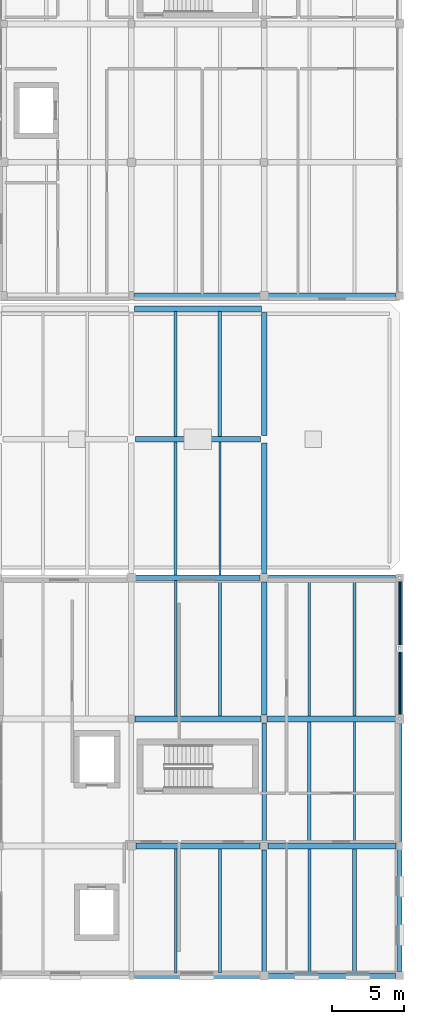
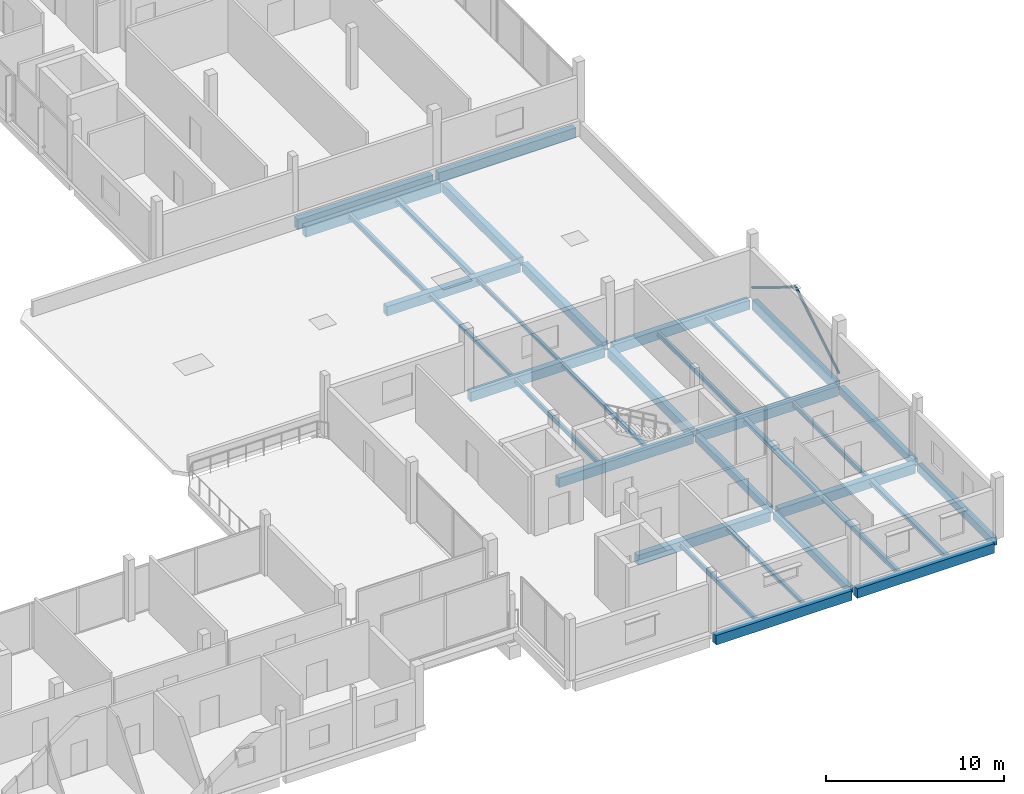
# One storey, part 16 of 41: 34 beams, 2 members.
"""IFC4 building model written with IfcOpenShell, lengths in metres."""

from ifc_helpers import new_model, si_unit, direction, frame, origin, origin_2d, place, context, subcontext, project, spatial, rectangle, hollow_circle, i_section, extrude, material, material_profile, profile_set, type_object, element, save


model = new_model("IFC4")

# Units and contexts
model_context = context("Model", 3, precision=1e-05, world=origin(), true_north=direction((0.0, 1.0)))
body_context = subcontext(model_context, "Body", "Model", "MODEL_VIEW")
ifc_project = project(units=[si_unit("LENGTHUNIT", "METRE"), si_unit("AREAUNIT", "SQUARE_METRE"), si_unit("VOLUMEUNIT", "CUBIC_METRE"), si_unit("PLANEANGLEUNIT", "RADIAN"), si_unit("MASSUNIT", "GRAM", prefix="KILO")], contexts=[model_context])

# Site, building, storey
site_placement = place(None, origin())
site = spatial("IfcSite", under=ifc_project, at=site_placement, CompositionType="ELEMENT")
building_placement = place(site_placement, origin())
building = spatial("IfcBuilding", under=site, at=building_placement, Name="Birchvale Park Specialist Clinic", CompositionType="ELEMENT")
storey_placement = place(building_placement, frame((0.0, 0.0, 9.60009765625)))
storey = spatial("IfcBuildingStorey", under=building, at=storey_placement, Name="L02", CompositionType="ELEMENT", Elevation=9.60009765625)

# Beams
ifc_material_1 = material(Name="Concrete C40/50", Category="concrete")
ifc_material_profile_1 = material_profile(ifc_material_1, rectangle(XDim=0.39990234375, YDim=0.68994140625, at=origin_2d()), Name="RCB-400x690")
ifc_profile_set_1 = profile_set([ifc_material_profile_1], Name="Concrete C40/50")
beam_type_1 = type_object("IfcBeamType", Name="BM-EXT-BG4", PredefinedType="BEAM", material=ifc_profile_set_1)
for number, where, z_axis, x_axis, name in (
    (1, (137.409912109375, 63.050048828125, -0.6201171875), (1.0, 0.0, 0.0), (0.0, 1.0, 0.0), "V5 L02 X girder 18"),
    (2, (137.409912109375, 63.949951171875, -0.64501953125), (1.0, 0.0, 0.0), (0.0, 1.0, 0.0), "V6 L02 X girder 2"),
):
    element("IfcBeam", number, at=place(storey_placement, frame(where, z_axis=z_axis, x_axis=x_axis)), inside=storey, type_object=beam_type_1, Name=name, PredefinedType="BEAM", context=body_context, shape_type="SweptSolid", body=[
        extrude(rectangle(XDim=0.39990234375, YDim=0.68994140625, at=origin_2d()), origin(), (0.0, 0.0, 1.0), 8.80517578125),
    ])
beam_1_placement = place(storey_placement, frame((146.5849609375, 63.949951171875, -0.64501953125), z_axis=(1.0, 0.0, 0.0), x_axis=(0.0, 1.0, 0.0)))
element("IfcBeam", 3, at=beam_1_placement, inside=storey, type_object=beam_type_1, Name="V6 L02 X girder 3", PredefinedType="BEAM", context=body_context, shape_type="SweptSolid", body=[
    extrude(rectangle(XDim=0.39990234375, YDim=0.68994140625, at=origin_2d()), origin(), (0.0, 0.0, 1.0), 8.925048828125),
])
ifc_material_profile_2 = material_profile(ifc_material_1, rectangle(XDim=0.3798828125, YDim=0.639892578125, at=origin_2d()), Name="RCB-380x640")
ifc_profile_set_2 = profile_set([ifc_material_profile_2], Name="Concrete C40/50")
beam_type_2 = type_object("IfcBeamType", Name="BM-EXT-BG5", PredefinedType="BEAM", material=ifc_profile_set_2)
beam_2_placement = place(storey_placement, frame((155.800048828125, 34.85009765625, -0.6201171875), z_axis=(0.0, 1.0, 0.0), x_axis=(-1.0, 0.0, 0.0)))
element("IfcBeam", 4, at=beam_2_placement, inside=storey, type_object=beam_type_2, Name="V5 L02 Y girder 37", PredefinedType="BEAM", context=body_context, shape_type="SweptSolid", body=[
    extrude(rectangle(XDim=0.3798828125, YDim=0.639892578125, at=origin_2d()), origin(), (0.0, 0.0, 1.0), 9.27490234375),
])
ifc_material_profile_3 = material_profile(ifc_material_1, rectangle(XDim=0.320068359375, YDim=0.5400390625, at=origin_2d()), Name="RCB-320x540")
ifc_profile_set_3 = profile_set([ifc_material_profile_3], Name="Concrete C40/50")
beam_type_3 = type_object("IfcBeamType", Name="BM-EXT-BG7", PredefinedType="BEAM", material=ifc_profile_set_3)
beam_3_placement = place(storey_placement, frame((155.800048828125, 17.10009765625, -0.570068359375), z_axis=(0.0, 1.0, 0.0), x_axis=(-1.0, 0.0, 0.0)))
element("IfcBeam", 5, at=beam_3_placement, inside=storey, type_object=beam_type_3, Name="V5 L02 Y girder 35", PredefinedType="BEAM", context=body_context, shape_type="SweptSolid", body=[
    extrude(rectangle(XDim=0.320068359375, YDim=0.5400390625, at=origin_2d()), origin(), (0.0, 0.0, 1.0), 8.449951171875),
])
beam_4_placement = place(storey_placement, frame((155.800048828125, 26.050048828125, -0.570068359375), z_axis=(0.0, 1.0, 0.0), x_axis=(-1.0, 0.0, 0.0)))
element("IfcBeam", 6, at=beam_4_placement, inside=storey, type_object=beam_type_3, Name="V5 L02 Y girder 36", PredefinedType="BEAM", context=body_context, shape_type="SweptSolid", body=[
    extrude(rectangle(XDim=0.320068359375, YDim=0.5400390625, at=origin_2d()), origin(), (0.0, 0.0, 1.0), 8.300048828125),
])
ifc_material_profile_4 = material_profile(ifc_material_1, rectangle(XDim=0.419921875, YDim=0.679931640625, at=origin_2d()), Name="RCB-420x680")
ifc_profile_set_4 = profile_set([ifc_material_profile_4], Name="Concrete C40/50")
beam_type_4 = type_object("IfcBeamType", Name="BM-INT-BG3", PredefinedType="BEAM", material=ifc_profile_set_4)
beam_5_placement = place(storey_placement, frame((146.60009765625, 34.60009765625, -0.64013671875), z_axis=(1.0, 0.0, 0.0), x_axis=(0.0, 1.0, 0.0)))
element("IfcBeam", 7, at=beam_5_placement, inside=storey, type_object=beam_type_4, Name="V5 L02 X girder 10", PredefinedType="BEAM", context=body_context, shape_type="SweptSolid", body=[
    extrude(rectangle(XDim=0.419921875, YDim=0.679931640625, at=origin_2d()), origin(), (0.0, 0.0, 1.0), 9.02490234375),
])
ifc_material_profile_5 = material_profile(ifc_material_1, rectangle(XDim=0.39990234375, YDim=0.64990234375, at=origin_2d()), Name="RCB-400x650")
ifc_profile_set_5 = profile_set([ifc_material_profile_5], Name="Concrete C40/50")
beam_type_5 = type_object("IfcBeamType", Name="BM-INT-BG4", PredefinedType="BEAM", material=ifc_profile_set_5)
beam_6_placement = place(storey_placement, frame((137.39990234375, 16.800048828125, -0.625), z_axis=(1.0, 0.0, 0.0), x_axis=(0.0, 1.0, 0.0)))
element("IfcBeam", 8, at=beam_6_placement, inside=storey, type_object=beam_type_5, Name="V5 L02 X girder 2", PredefinedType="BEAM", context=body_context, shape_type="SweptSolid", body=[
    extrude(rectangle(XDim=0.39990234375, YDim=0.64990234375, at=origin_2d()), origin(), (0.0, 0.0, 1.0), 8.8251953125),
])
beam_7_placement = place(storey_placement, frame((146.574951171875, 16.800048828125, -0.625), z_axis=(1.0, 0.0, 0.0), x_axis=(0.0, 1.0, 0.0)))
element("IfcBeam", 9, at=beam_7_placement, inside=storey, type_object=beam_type_5, Name="V5 L02 X girder 3", PredefinedType="BEAM", context=body_context, shape_type="SweptSolid", body=[
    extrude(rectangle(XDim=0.39990234375, YDim=0.64990234375, at=origin_2d()), origin(), (0.0, 0.0, 1.0), 8.925048828125),
])
beam_8_placement = place(storey_placement, frame((137.5, 25.800048828125, -0.625), z_axis=(1.0, 0.0, 0.0), x_axis=(0.0, 1.0, 0.0)))
element("IfcBeam", 10, at=beam_8_placement, inside=storey, type_object=beam_type_5, Name="V5 L02 X girder 5", PredefinedType="BEAM", context=body_context, shape_type="SweptSolid", body=[
    extrude(rectangle(XDim=0.39990234375, YDim=0.64990234375, at=origin_2d()), origin(), (0.0, 0.0, 1.0), 8.625),
])
beam_9_placement = place(storey_placement, frame((146.675048828125, 25.800048828125, -0.625), z_axis=(1.0, 0.0, 0.0), x_axis=(0.0, 1.0, 0.0)))
element("IfcBeam", 11, at=beam_9_placement, inside=storey, type_object=beam_type_5, Name="V5 L02 X girder 6", PredefinedType="BEAM", context=body_context, shape_type="SweptSolid", body=[
    extrude(rectangle(XDim=0.39990234375, YDim=0.64990234375, at=origin_2d()), origin(), (0.0, 0.0, 1.0), 8.875),
])
beam_10_placement = place(storey_placement, frame((137.449951171875, 34.60009765625, -0.625), z_axis=(1.0, 0.0, 0.0), x_axis=(0.0, 1.0, 0.0)))
element("IfcBeam", 12, at=beam_10_placement, inside=storey, type_object=beam_type_5, Name="V5 L02 X girder 9", PredefinedType="BEAM", context=body_context, shape_type="SweptSolid", body=[
    extrude(rectangle(XDim=0.39990234375, YDim=0.64990234375, at=origin_2d()), origin(), (0.0, 0.0, 1.0), 8.75),
])
beam_11_placement = place(storey_placement, frame((137.375, 44.39990234375, -0.625), z_axis=(1.0, 0.0, 0.0), x_axis=(0.0, 1.0, 0.0)))
element("IfcBeam", 13, at=beam_11_placement, inside=storey, type_object=beam_type_5, Name="V5 L02 X girder 13", PredefinedType="BEAM", context=body_context, shape_type="SweptSolid", body=[
    extrude(rectangle(XDim=0.39990234375, YDim=0.64990234375, at=origin_2d()), origin(), (0.0, 0.0, 1.0), 8.72509765625),
])
beam_12_placement = place(storey_placement, frame((146.699951171875, 44.39990234375, -0.625), z_axis=(1.0, 0.0, 0.0), x_axis=(0.0, 1.0, 0.0)))
element("IfcBeam", 14, at=beam_12_placement, inside=storey, type_object=beam_type_5, Name="V5 L02 X girder 14", PredefinedType="BEAM", context=body_context, shape_type="SweptSolid", body=[
    extrude(rectangle(XDim=0.39990234375, YDim=0.64990234375, at=origin_2d()), origin(), (0.0, 0.0, 1.0), 8.824951171875),
])
beam_13_placement = place(storey_placement, frame((137.47509765625, 54.0, -0.60009765625), z_axis=(1.0, 0.0, 0.0), x_axis=(0.0, 1.0, 0.0)))
element("IfcBeam", 15, at=beam_13_placement, inside=storey, type_object=beam_type_5, Name="V5 L02 X girder 16", PredefinedType="BEAM", context=body_context, shape_type="SweptSolid", body=[
    extrude(rectangle(XDim=0.39990234375, YDim=0.64990234375, at=origin_2d()), origin(), (0.0, 0.0, 1.0), 8.6748046875),
])
ifc_material_profile_6 = material_profile(ifc_material_1, rectangle(XDim=0.3798828125, YDim=0.60009765625, at=origin_2d()), Name="RCB-380x600")
ifc_profile_set_6 = profile_set([ifc_material_profile_6], Name="Concrete C40/50")
beam_type_6 = type_object("IfcBeamType", Name="BM-INT-BG5", PredefinedType="BEAM", material=ifc_profile_set_6)
beam_14_placement = place(storey_placement, frame((146.39990234375, 34.875, -0.60009765625), z_axis=(0.0, 1.0, 0.0), x_axis=(-1.0, 0.0, 0.0)))
element("IfcBeam", 16, at=beam_14_placement, inside=storey, type_object=beam_type_6, Name="V5 L02 Y girder 32", PredefinedType="BEAM", context=body_context, shape_type="SweptSolid", body=[
    extrude(rectangle(XDim=0.3798828125, YDim=0.60009765625, at=origin_2d()), origin(), (0.0, 0.0, 1.0), 9.22509765625),
])
beam_15_placement = place(storey_placement, frame((146.39990234375, 44.699951171875, -0.5751953125), z_axis=(0.0, 1.0, 0.0), x_axis=(-1.0, 0.0, 0.0)))
element("IfcBeam", 17, at=beam_15_placement, inside=storey, type_object=beam_type_6, Name="V5 L02 Y girder 33", PredefinedType="BEAM", context=body_context, shape_type="SweptSolid", body=[
    extrude(rectangle(XDim=0.3798828125, YDim=0.60009765625, at=origin_2d()), origin(), (0.0, 0.0, 1.0), 9.050048828125),
])
beam_16_placement = place(storey_placement, frame((146.39990234375, 54.25, -0.5751953125), z_axis=(0.0, 1.0, 0.0), x_axis=(-1.0, 0.0, 0.0)))
element("IfcBeam", 18, at=beam_16_placement, inside=storey, type_object=beam_type_6, Name="V5 L02 Y girder 34", PredefinedType="BEAM", context=body_context, shape_type="SweptSolid", body=[
    extrude(rectangle(XDim=0.3798828125, YDim=0.60009765625, at=origin_2d()), origin(), (0.0, 0.0, 1.0), 8.5400390625),
])
ifc_material_profile_7 = material_profile(ifc_material_1, rectangle(XDim=0.320068359375, YDim=0.5, at=origin_2d()), Name="RCB-320x500")
ifc_profile_set_7 = profile_set([ifc_material_profile_7], Name="Concrete C40/50")
beam_type_7 = type_object("IfcBeamType", Name="BM-INT-BG7", PredefinedType="BEAM", material=ifc_profile_set_7)
beam_17_placement = place(storey_placement, frame((146.39990234375, 17.050048828125, -0.550048828125), z_axis=(0.0, 1.0, 0.0), x_axis=(-1.0, 0.0, 0.0)))
element("IfcBeam", 19, at=beam_17_placement, inside=storey, type_object=beam_type_7, Name="V5 L02 Y girder 30", PredefinedType="BEAM", context=body_context, shape_type="SweptSolid", body=[
    extrude(rectangle(XDim=0.320068359375, YDim=0.5, at=origin_2d()), origin(), (0.0, 0.0, 1.0), 8.474853515625),
])
beam_18_placement = place(storey_placement, frame((146.39990234375, 26.074951171875, -0.550048828125), z_axis=(0.0, 1.0, 0.0), x_axis=(-1.0, 0.0, 0.0)))
element("IfcBeam", 20, at=beam_18_placement, inside=storey, type_object=beam_type_7, Name="V5 L02 Y girder 31", PredefinedType="BEAM", context=body_context, shape_type="SweptSolid", body=[
    extrude(rectangle(XDim=0.320068359375, YDim=0.5, at=origin_2d()), origin(), (0.0, 0.0, 1.0), 8.25),
])

# Members
ifc_material_2 = material(Name="Steel EN 10210 S355", Category="steel")
ifc_material_profile_8 = material_profile(ifc_material_2, hollow_circle(Radius=0.084228515625, WallThickness=0.008056640625, at=origin_2d()), Name="CHS168.3X8")
ifc_profile_set_8 = profile_set([ifc_material_profile_8], Name="Steel EN 10210 S355")
member_type = type_object("IfcMemberType", Name="MEM-BR4", PredefinedType="BRACE", material=ifc_profile_set_8)
for number, where, z_axis, x_axis, name in (
    (21, (155.800048828125, 34.62548828125, 0.365478515625), (0.0, 0.853631182631, 0.520877916636), (-1.0, 0.0, 0.0), "V5 L02 chevron steel brace 11.1"),
    (22, (155.800048828125, 44.37451171875, 0.365478515625), (0.0, -0.853631182631, 0.520877916636), (1.0, 0.0, 0.0), "V5 L02 chevron steel brace 11.2"),
):
    element("IfcMember", number, at=place(storey_placement, frame(where, z_axis=z_axis, x_axis=x_axis)), inside=storey, type_object=member_type, Name=name, PredefinedType="BRACE", context=body_context, shape_type="SweptSolid", body=[
        extrude(hollow_circle(Radius=0.084228515625, WallThickness=0.008056640625, at=origin_2d()), origin(), (0.0, 0.0, 1.0), 5.68017578125),
    ])

# Beams
ifc_material_3 = material(Name="Steel ASTM A992 Grade 50", Category="steel")
ifc_material_profile_9 = material_profile(ifc_material_3, i_section(OverallWidth=0.2041015625, OverallDepth=0.35107421875, WebThickness=0.008544921875, FlangeThickness=0.01513671875, at=origin_2d()), Name="W14X48")
ifc_profile_set_9 = profile_set([ifc_material_profile_9], Name="Steel ASTM A992 Grade 50")
beam_type_8 = type_object("IfcBeamType", Name="STL-INT-SJ1", PredefinedType="JOIST", material=ifc_profile_set_9)
beam_19_placement = place(storey_placement, frame((140.2666015625, 54.199951171875, -0.45068359375), z_axis=(0.0, 1.0, 0.0), x_axis=(-1.0, 0.0, 0.0)))
element("IfcBeam", 23, at=beam_19_placement, inside=storey, type_object=beam_type_8, Name="V5 L02 secondary floor joist 17", PredefinedType="JOIST", context=body_context, shape_type="SweptSolid", body=[
    extrude(i_section(OverallWidth=0.2041015625, OverallDepth=0.35107421875, WebThickness=0.008544921875, FlangeThickness=0.01513671875, at=origin_2d()), origin(), (0.0, 0.0, 1.0), 8.650146484375),
])
beam_20_placement = place(storey_placement, frame((149.533203125, 17.0, -0.4755859375), z_axis=(0.0, 1.0, 0.0), x_axis=(-1.0, 0.0, 0.0)))
element("IfcBeam", 24, at=beam_20_placement, inside=storey, type_object=beam_type_8, Name="V5 L02 secondary floor joist 19", PredefinedType="JOIST", context=body_context, shape_type="SweptSolid", body=[
    extrude(i_section(OverallWidth=0.2041015625, OverallDepth=0.35107421875, WebThickness=0.008544921875, FlangeThickness=0.01513671875, at=origin_2d()), origin(), (0.0, 0.0, 1.0), 8.60009765625),
])
ifc_material_profile_10 = material_profile(ifc_material_3, i_section(OverallWidth=0.25390625, OverallDepth=0.305908203125, WebThickness=0.0087890625, FlangeThickness=0.0146484375, at=origin_2d()), Name="W12X53")
ifc_profile_set_10 = profile_set([ifc_material_profile_10], Name="Steel ASTM A992 Grade 50")
beam_type_9 = type_object("IfcBeamType", Name="STL-INT-SJ2", PredefinedType="JOIST", material=ifc_profile_set_10)
beam_21_placement = place(storey_placement, frame((143.333251953125, 54.199951171875, -0.427978515625), z_axis=(0.0, 1.0, 0.0), x_axis=(-1.0, 0.0, 0.0)))
element("IfcBeam", 25, at=beam_21_placement, inside=storey, type_object=beam_type_9, Name="V5 L02 secondary floor joist 18", PredefinedType="JOIST", context=body_context, shape_type="SweptSolid", body=[
    extrude(i_section(OverallWidth=0.25390625, OverallDepth=0.305908203125, WebThickness=0.0087890625, FlangeThickness=0.0146484375, at=origin_2d()), origin(), (0.0, 0.0, 1.0), 8.650146484375),
])
beam_22_placement = place(storey_placement, frame((152.666748046875, 17.0, -0.453125), z_axis=(0.0, 1.0, 0.0), x_axis=(-1.0, 0.0, 0.0)))
element("IfcBeam", 26, at=beam_22_placement, inside=storey, type_object=beam_type_9, Name="V5 L02 secondary floor joist 20", PredefinedType="JOIST", context=body_context, shape_type="SweptSolid", body=[
    extrude(i_section(OverallWidth=0.25390625, OverallDepth=0.305908203125, WebThickness=0.0087890625, FlangeThickness=0.0146484375, at=origin_2d()), origin(), (0.0, 0.0, 1.0), 8.60009765625),
])
beam_23_placement = place(storey_placement, frame((149.533203125, 26.0, -0.453125), z_axis=(0.0, 1.0, 0.0), x_axis=(-1.0, 0.0, 0.0)))
element("IfcBeam", 27, at=beam_23_placement, inside=storey, type_object=beam_type_9, Name="V5 L02 secondary floor joist 21", PredefinedType="JOIST", context=body_context, shape_type="SweptSolid", body=[
    extrude(i_section(OverallWidth=0.25390625, OverallDepth=0.305908203125, WebThickness=0.0087890625, FlangeThickness=0.0146484375, at=origin_2d()), origin(), (0.0, 0.0, 1.0), 8.389892578125),
])
ifc_material_profile_11 = material_profile(ifc_material_3, i_section(OverallWidth=0.1669921875, OverallDepth=0.31689453125, WebThickness=0.007568359375, FlangeThickness=0.01318359375, at=origin_2d()), Name="W12X35")
ifc_profile_set_11 = profile_set([ifc_material_profile_11], Name="Steel ASTM A992 Grade 50")
beam_type_10 = type_object("IfcBeamType", Name="STL-INT-SJ3", PredefinedType="JOIST", material=ifc_profile_set_11)
beam_24_placement = place(storey_placement, frame((140.2666015625, 17.0, -0.45849609375), z_axis=(0.0, 1.0, 0.0), x_axis=(-1.0, 0.0, 0.0)))
element("IfcBeam", 28, at=beam_24_placement, inside=storey, type_object=beam_type_10, Name="V5 L02 secondary floor joist 11", PredefinedType="JOIST", context=body_context, shape_type="SweptSolid", body=[
    extrude(i_section(OverallWidth=0.1669921875, OverallDepth=0.31689453125, WebThickness=0.007568359375, FlangeThickness=0.01318359375, at=origin_2d()), origin(), (0.0, 0.0, 1.0), 8.60009765625),
])
beam_25_placement = place(storey_placement, frame((140.2666015625, 34.800048828125, -0.45849609375), z_axis=(0.0, 1.0, 0.0), x_axis=(-1.0, 0.0, 0.0)))
element("IfcBeam", 29, at=beam_25_placement, inside=storey, type_object=beam_type_10, Name="V5 L02 secondary floor joist 13", PredefinedType="JOIST", context=body_context, shape_type="SweptSolid", body=[
    extrude(i_section(OverallWidth=0.1669921875, OverallDepth=0.31689453125, WebThickness=0.007568359375, FlangeThickness=0.01318359375, at=origin_2d()), origin(), (0.0, 0.0, 1.0), 9.39990234375),
])
beam_26_placement = place(storey_placement, frame((152.666748046875, 26.0, -0.45849609375), z_axis=(0.0, 1.0, 0.0), x_axis=(-1.0, 0.0, 0.0)))
element("IfcBeam", 30, at=beam_26_placement, inside=storey, type_object=beam_type_10, Name="V5 L02 secondary floor joist 22", PredefinedType="JOIST", context=body_context, shape_type="SweptSolid", body=[
    extrude(i_section(OverallWidth=0.1669921875, OverallDepth=0.31689453125, WebThickness=0.007568359375, FlangeThickness=0.01318359375, at=origin_2d()), origin(), (0.0, 0.0, 1.0), 8.389892578125),
])
beam_27_placement = place(storey_placement, frame((149.533203125, 34.81005859375, -0.45849609375), z_axis=(0.0, 1.0, 0.0), x_axis=(-1.0, 0.0, 0.0)))
element("IfcBeam", 31, at=beam_27_placement, inside=storey, type_object=beam_type_10, Name="V5 L02 secondary floor joist 23", PredefinedType="JOIST", context=body_context, shape_type="SweptSolid", body=[
    extrude(i_section(OverallWidth=0.1669921875, OverallDepth=0.31689453125, WebThickness=0.007568359375, FlangeThickness=0.01318359375, at=origin_2d()), origin(), (0.0, 0.0, 1.0), 9.389892578125),
])
ifc_material_profile_12 = material_profile(ifc_material_3, i_section(OverallWidth=0.202880859375, OverallDepth=0.251953125, WebThickness=0.008056640625, FlangeThickness=0.013427734375, at=origin_2d()), Name="W10X39")
ifc_profile_set_12 = profile_set([ifc_material_profile_12], Name="Steel ASTM A992 Grade 50")
beam_type_11 = type_object("IfcBeamType", Name="STL-INT-SJ4", PredefinedType="JOIST", material=ifc_profile_set_12)
beam_28_placement = place(storey_placement, frame((143.333251953125, 17.0, -0.426025390625), z_axis=(0.0, 1.0, 0.0), x_axis=(-1.0, 0.0, 0.0)))
element("IfcBeam", 32, at=beam_28_placement, inside=storey, type_object=beam_type_11, Name="V5 L02 secondary floor joist 12", PredefinedType="JOIST", context=body_context, shape_type="SweptSolid", body=[
    extrude(i_section(OverallWidth=0.202880859375, OverallDepth=0.251953125, WebThickness=0.008056640625, FlangeThickness=0.013427734375, at=origin_2d()), origin(), (0.0, 0.0, 1.0), 8.60009765625),
])
beam_29_placement = place(storey_placement, frame((143.333251953125, 34.800048828125, -0.426025390625), z_axis=(0.0, 1.0, 0.0), x_axis=(-1.0, 0.0, 0.0)))
element("IfcBeam", 33, at=beam_29_placement, inside=storey, type_object=beam_type_11, Name="V5 L02 secondary floor joist 14", PredefinedType="JOIST", context=body_context, shape_type="SweptSolid", body=[
    extrude(i_section(OverallWidth=0.202880859375, OverallDepth=0.251953125, WebThickness=0.008056640625, FlangeThickness=0.013427734375, at=origin_2d()), origin(), (0.0, 0.0, 1.0), 9.39990234375),
])
beam_30_placement = place(storey_placement, frame((140.2666015625, 44.60009765625, -0.401123046875), z_axis=(0.0, 1.0, 0.0), x_axis=(-1.0, 0.0, 0.0)))
element("IfcBeam", 34, at=beam_30_placement, inside=storey, type_object=beam_type_11, Name="V5 L02 secondary floor joist 15", PredefinedType="JOIST", context=body_context, shape_type="SweptSolid", body=[
    extrude(i_section(OverallWidth=0.202880859375, OverallDepth=0.251953125, WebThickness=0.008056640625, FlangeThickness=0.013427734375, at=origin_2d()), origin(), (0.0, 0.0, 1.0), 9.199951171875),
])
beam_31_placement = place(storey_placement, frame((152.666748046875, 34.81005859375, -0.426025390625), z_axis=(0.0, 1.0, 0.0), x_axis=(-1.0, 0.0, 0.0)))
element("IfcBeam", 35, at=beam_31_placement, inside=storey, type_object=beam_type_11, Name="V5 L02 secondary floor joist 24", PredefinedType="JOIST", context=body_context, shape_type="SweptSolid", body=[
    extrude(i_section(OverallWidth=0.202880859375, OverallDepth=0.251953125, WebThickness=0.008056640625, FlangeThickness=0.013427734375, at=origin_2d()), origin(), (0.0, 0.0, 1.0), 9.389892578125),
])
ifc_material_profile_13 = material_profile(ifc_material_3, i_section(OverallWidth=0.14697265625, OverallDepth=0.261962890625, WebThickness=0.006591796875, FlangeThickness=0.01123046875, at=origin_2d()), Name="W10X26")
ifc_profile_set_13 = profile_set([ifc_material_profile_13], Name="Steel ASTM A992 Grade 50")
beam_type_12 = type_object("IfcBeamType", Name="STL-INT-SJ5", PredefinedType="JOIST", material=ifc_profile_set_13)
beam_32_placement = place(storey_placement, frame((143.333251953125, 44.60009765625, -0.406005859375), z_axis=(0.0, 1.0, 0.0), x_axis=(-1.0, 0.0, 0.0)))
element("IfcBeam", 36, at=beam_32_placement, inside=storey, type_object=beam_type_12, Name="V5 L02 secondary floor joist 16", PredefinedType="JOIST", context=body_context, shape_type="SweptSolid", body=[
    extrude(i_section(OverallWidth=0.14697265625, OverallDepth=0.261962890625, WebThickness=0.006591796875, FlangeThickness=0.01123046875, at=origin_2d()), origin(), (0.0, 0.0, 1.0), 9.199951171875),
])

save(model, "model.ifc")
